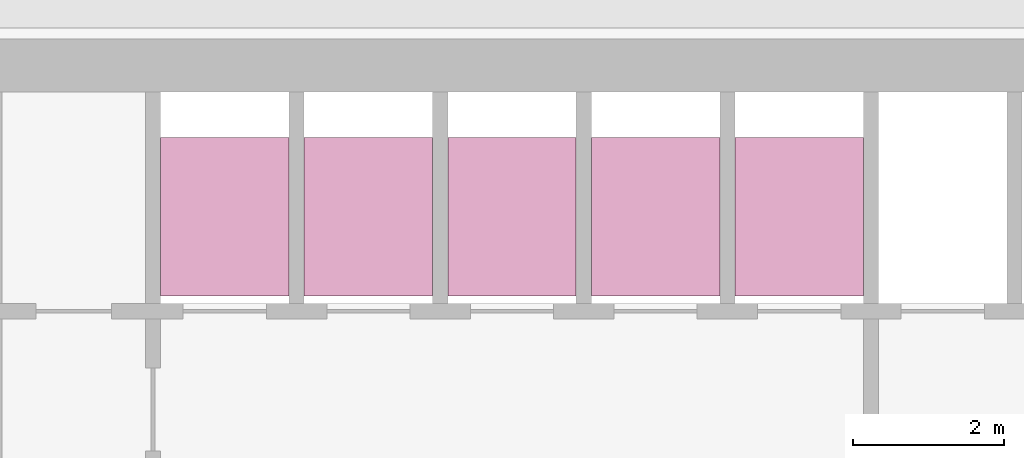
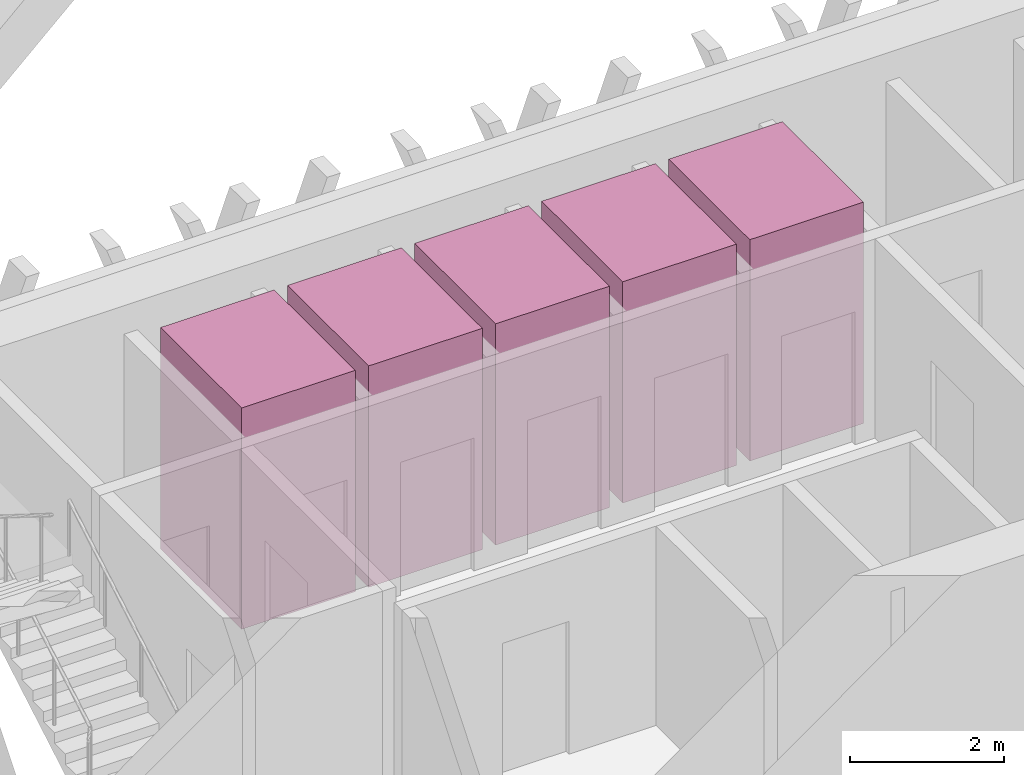
# One storey, part 17 of 17: 5 transport elements.
"""IFC4 building model written with IfcOpenShell, lengths in metres."""

import ifcopenshell
import ifcopenshell.guid

model = None  # the IFC model being written
_history = None  # IfcOwnerHistory: only IFC2X3 demands one
_inside = {}  # id of a spatial element -> (the spatial element, [elements in it])
_under = {}  # id of a project, library or spatial element -> (it, [spatial elements below it])
_declared = {}  # id of a project -> (the project, [libraries it declares])
_typed = {}  # id of a type object -> (the type object, [elements of that type])
_made_of = {}  # id of a material, layer set ... -> (it, [elements and type objects made of it])


def new_model(schema):
    """Start an empty IFC model of exactly this schema.

    Asked for "IFC4X3", IfcOpenShell would pick the latest addendum, in which some entities
    have other attributes; the version numbers below select the first issue.
    IFC2X3 requires an IfcOwnerHistory on every rooted entity: one is made here for all.
    """
    global model, _history
    if schema == "IFC4X3":
        model = ifcopenshell.file(schema_version=(4, 3, 0, 0))
    else:
        model = ifcopenshell.file(schema=schema)
    _inside.clear()
    _under.clear()
    _declared.clear()
    _typed.clear()
    _made_of.clear()
    _history = None
    if model.schema == "IFC2X3":
        org = make("IfcOrganization", Name="unknown")
        user = make(
            "IfcPersonAndOrganization",
            ThePerson=make("IfcPerson", FamilyName="unknown"),
            TheOrganization=org,
        )
        app = make(
            "IfcApplication",
            ApplicationDeveloper=org,
            Version="unknown",
            ApplicationFullName="unknown",
            ApplicationIdentifier="unknown",
        )
        _history = make(
            "IfcOwnerHistory",
            OwningUser=user,
            OwningApplication=app,
            ChangeAction="ADDED",
            CreationDate=0,
        )
    return model


def make(cls, **values):
    """One entity of the class cls with the attributes given. An attribute that is None is left unset."""
    return model.create_entity(
        cls, **{name: value for name, value in values.items() if value is not None}
    )


def rooted(cls, **values):
    """An entity with a GlobalId (a new one), such as an element, a storey or a relation."""
    return make(cls, GlobalId=ifcopenshell.guid.new(), OwnerHistory=_history, **values)


def si_unit(unit_type, name, prefix=None):
    """IfcSIUnit, for example si_unit("LENGTHUNIT", "METRE", prefix="MILLI")."""
    return make("IfcSIUnit", UnitType=unit_type, Prefix=prefix, Name=name)


def assignment(units):
    """IfcUnitAssignment: the units of a project."""
    return None if units is None else make("IfcUnitAssignment", Units=units)


def point(xyz):
    """IfcCartesianPoint."""
    return None if xyz is None else make("IfcCartesianPoint", Coordinates=xyz)


def direction(xyz):
    """IfcDirection."""
    return None if xyz is None else make("IfcDirection", DirectionRatios=xyz)


def frame(location, z_axis=None, x_axis=None):
    """IfcAxis2Placement3D, a coordinate frame: its origin and axes. An axis left out is left unset."""
    return make(
        "IfcAxis2Placement3D",
        Location=point(location),
        Axis=direction(z_axis),
        RefDirection=direction(x_axis),
    )


def frame_2d(location, x_axis=None):
    """IfcAxis2Placement2D, a coordinate frame in the plane: its origin and x axis."""
    return make(
        "IfcAxis2Placement2D", Location=point(location), RefDirection=direction(x_axis)
    )


def origin():
    """The frame at (0, 0, 0) with its axes left unset."""
    return frame((0.0, 0.0, 0.0))


def origin_2d():
    """The frame at (0, 0) in the plane with its x axis left unset."""
    return frame_2d((0.0, 0.0))


def place(relative_to, where):
    """IfcLocalPlacement: puts the frame where relative to a parent placement (None: the world)."""
    return make(
        "IfcLocalPlacement", PlacementRelTo=relative_to, RelativePlacement=where
    )


def context(
    kind, dimensions, precision=None, world=None, true_north=None, identifier=None
):
    """IfcGeometricRepresentationContext, for example the 3D "Model" context."""
    return make(
        "IfcGeometricRepresentationContext",
        ContextIdentifier=identifier,
        ContextType=kind,
        CoordinateSpaceDimension=dimensions,
        Precision=precision,
        WorldCoordinateSystem=world,
        TrueNorth=true_north,
    )


def subcontext(parent, identifier, kind, view, scale=None):
    """IfcGeometricRepresentationSubContext, for example "Body" below "Model"."""
    return make(
        "IfcGeometricRepresentationSubContext",
        ContextIdentifier=identifier,
        ContextType=kind,
        ParentContext=parent,
        TargetScale=scale,
        TargetView=view,
    )


def project(units=None, contexts=None):
    """IfcProject with its units and contexts."""
    return rooted(
        "IfcProject",
        Name="project",
        RepresentationContexts=contexts,
        UnitsInContext=assignment(units),
    )


def spatial(cls, under=None, at=None, **own):
    """A site, building, storey or space (cls), placed at a placement, below another one or the project."""
    s = rooted(cls, ObjectPlacement=at, **own)
    if under is not None:
        _under.setdefault(under.id(), (under, []))[1].append(s)
    return s


def profile(cls, at=None, kind="AREA", **sizes):
    """A parametric profile (cls). Its sizes go by their IFC names, for example OverallWidth=200.0."""
    return make(cls, ProfileType=kind, Position=at, **sizes)


def rectangle(**sizes):
    """IfcRectangleProfileDef."""
    return profile("IfcRectangleProfileDef", **sizes)


def extrude(swept, where, along, depth):
    """IfcExtrudedAreaSolid: the profile swept, set in the frame where, extruded along a direction by depth."""
    return make(
        "IfcExtrudedAreaSolid",
        SweptArea=swept,
        Position=where,
        ExtrudedDirection=direction(along),
        Depth=depth,
    )


def shape(context_of_items, identifier, shape_type, items):
    """IfcShapeRepresentation: the items that make up one representation, for example the "Body"."""
    return make(
        "IfcShapeRepresentation",
        ContextOfItems=context_of_items,
        RepresentationIdentifier=identifier,
        RepresentationType=shape_type,
        Items=items,
    )


def material(Name=None, Category=None):
    """IfcMaterial."""
    return make("IfcMaterial", Name=Name, Category=Category)


def made_of(thing, what):
    """Note that an element or type object is made of a material, layer set ...; save() writes the relation."""
    if what is not None:
        _made_of.setdefault(what.id(), (what, []))[1].append(thing)
    return thing


def type_object(cls, material=None, **own):
    """A type object (cls), such as IfcWallType, which elements share."""
    return made_of(rooted(cls, **own), material)


def element(
    cls,
    number,
    at=None,
    inside=None,
    cuts=None,
    type_object=None,
    material=None,
    context=None,
    identifier="Body",
    shape_type=None,
    held_by="IfcProductDefinitionShape",
    body=None,
    shapes=None,
    **own,
):
    """One element of the class cls, such as IfcWall. Its Tag is "e" and its number.

    at: its placement. inside: the storey or other place that contains it. cuts: it is an
    opening in that element (IfcRelVoidsElement). A single representation is given by context,
    identifier, shape_type and body (its items); several are given by shapes. held_by: the class
    of the entity that holds the representations. save() writes the other relations.
    """
    e = rooted(cls, Tag="e%d" % number, ObjectPlacement=at, **own)
    if body is not None:
        shapes = [shape(context, identifier, shape_type, body)]
    if shapes is not None:
        e.Representation = make(held_by, Representations=shapes)
    if inside is not None:
        _inside.setdefault(inside.id(), (inside, []))[1].append(e)
    if cuts is not None:
        rooted(
            "IfcRelVoidsElement", RelatingBuildingElement=cuts, RelatedOpeningElement=e
        )
    if type_object is not None:
        _typed.setdefault(type_object.id(), (type_object, []))[1].append(e)
    return made_of(e, material)


def aggregate(whole, parts):
    """IfcRelAggregates: a whole, such as a stair, and the parts it consists of."""
    return rooted("IfcRelAggregates", RelatingObject=whole, RelatedObjects=parts)


def save(model, path):
    """Write the relations noted so far, then the file.

    IfcRelAggregates (storeys below a building ...), IfcRelContainedInSpatialStructure (elements
    in a storey), IfcRelDefinesByType, IfcRelAssociatesMaterial and IfcRelDeclares: one each for
    every whole, place, type object, material and project.
    """
    for whole, parts in _under.values():
        aggregate(whole, parts)
    for where, things in _inside.values():
        rooted(
            "IfcRelContainedInSpatialStructure",
            RelatedElements=things,
            RelatingStructure=where,
        )
    for kind, things in _typed.values():
        rooted("IfcRelDefinesByType", RelatedObjects=things, RelatingType=kind)
    for what, things in _made_of.values():
        rooted("IfcRelAssociatesMaterial", RelatedObjects=things, RelatingMaterial=what)
    for by, libraries in _declared.values():
        rooted("IfcRelDeclares", RelatingContext=by, RelatedDefinitions=libraries)
    model.write(path)


model = new_model("IFC4")

# Units and contexts
model_context = context("Model", 3, precision=1e-05, world=origin(), true_north=direction((0.0, 1.0)))
body_context = subcontext(model_context, "Body", "Model", "MODEL_VIEW")
ifc_project = project(units=[si_unit("LENGTHUNIT", "METRE"), si_unit("AREAUNIT", "SQUARE_METRE"), si_unit("VOLUMEUNIT", "CUBIC_METRE"), si_unit("PLANEANGLEUNIT", "RADIAN"), si_unit("MASSUNIT", "GRAM", prefix="KILO")], contexts=[model_context])

# Site, building, storey
site_placement = place(None, origin())
site = spatial("IfcSite", under=ifc_project, at=site_placement, CompositionType="ELEMENT")
building_placement = place(site_placement, origin())
building = spatial("IfcBuilding", under=site, at=building_placement, Name="Altiplano Prism Tower", CompositionType="ELEMENT")
storey_placement = place(building_placement, frame((0.0, 0.0, 194.39990234375)))
storey = spatial("IfcBuildingStorey", under=building, at=storey_placement, Name="L50", CompositionType="ELEMENT", Elevation=194.39990234375)

# Transport elements
ifc_material = material(Name="Stainless steel lift car", Category="steel")
transport_element_type = type_object("IfcTransportElementType", Name="Passenger lift car 1600 x 2100", PredefinedType="ELEVATOR", material=ifc_material)
for number, where, z_axis, x_axis, name in (
    (1, (79.050048828125, 101.75, 0.050048828125), (0.0, 0.0, 1.0), (1.0, 0.0, 0.0), "Mid Zone Passenger Lift 1"),
    (2, (80.949951171875, 101.75, 0.050048828125), (0.0, 0.0, 1.0), (1.0, 0.0, 0.0), "Mid Zone Passenger Lift 2"),
    (3, (82.85009765625, 101.75, 0.050048828125), (0.0, 0.0, 1.0), (1.0, 0.0, 0.0), "Mid Zone Passenger Lift 3"),
    (4, (84.75, 101.75, 0.050048828125), (0.0, 0.0, 1.0), (1.0, 0.0, 0.0), "Mid Zone Passenger Lift 4"),
    (5, (86.64990234375, 101.75, 0.050048828125), (0.0, 0.0, 1.0), (1.0, 0.0, 0.0), "Mid Zone Passenger Lift 5"),
):
    element("IfcTransportElement", number, at=place(storey_placement, frame(where, z_axis=z_axis, x_axis=x_axis)), inside=storey, type_object=transport_element_type, Name=name, PredefinedType="ELEVATOR", context=body_context, shape_type="SweptSolid", body=[
        extrude(rectangle(XDim=1.699951171875, YDim=2.10009765625, at=origin_2d()), origin(), (0.0, 0.0, 1.0), 3.5),
    ])

save(model, "model.ifc")
